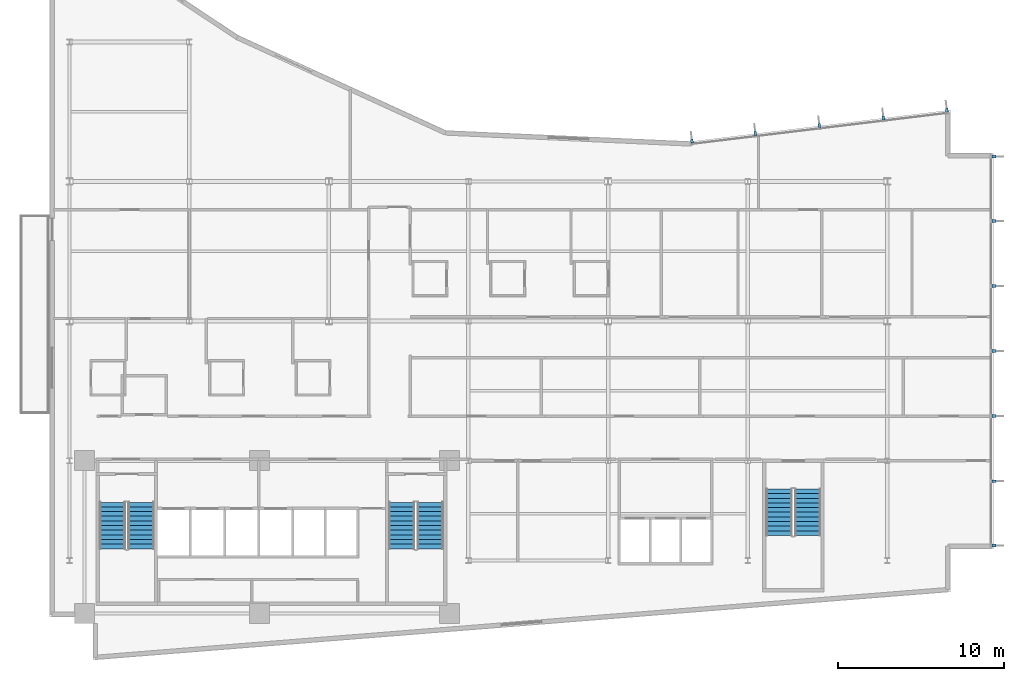
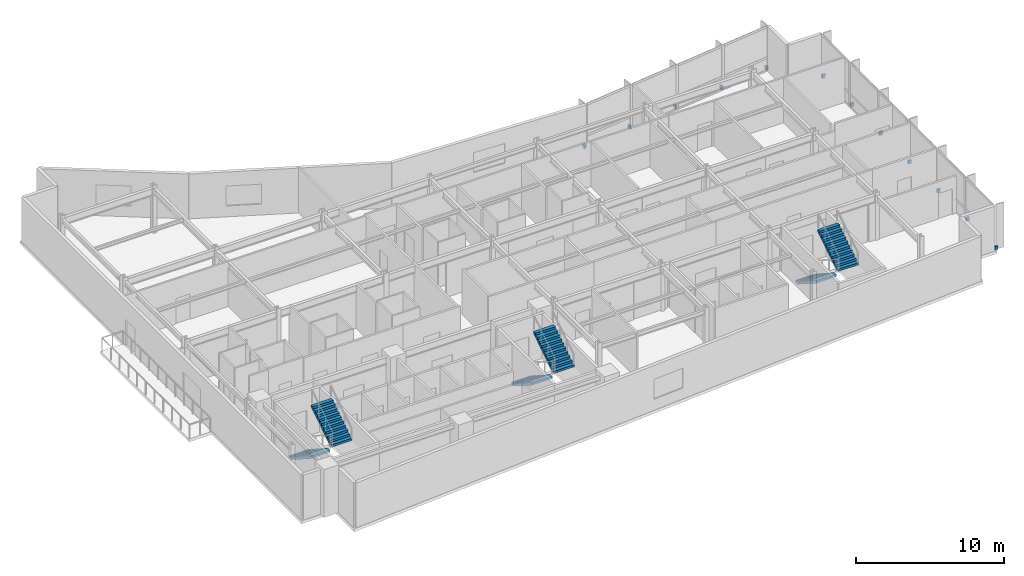
# One storey, part 14 of 18: 12 discrete accessories, 6 stair flights, 3 elements without a shape of their own.
"""IFC4 building model written with IfcOpenShell, lengths in metres."""

from ifc_helpers import new_model, si_unit, direction, frame, origin, origin_2d, place, context, subcontext, project, spatial, polyline, rectangle, outline, extrude, material, layer, layer_set, type_object, element, aggregate, save


model = new_model("IFC4")

# Units and contexts
model_context = context("Model", 3, precision=1e-05, world=origin(), true_north=direction((0.0, 1.0)))
body_context = subcontext(model_context, "Body", "Model", "MODEL_VIEW")
ifc_project = project(units=[si_unit("LENGTHUNIT", "METRE"), si_unit("AREAUNIT", "SQUARE_METRE"), si_unit("VOLUMEUNIT", "CUBIC_METRE"), si_unit("PLANEANGLEUNIT", "RADIAN"), si_unit("MASSUNIT", "GRAM", prefix="KILO")], contexts=[model_context])

# Site, building, storey
site_placement = place(None, origin())
site = spatial("IfcSite", under=ifc_project, at=site_placement, CompositionType="ELEMENT")
building_placement = place(site_placement, origin())
building = spatial("IfcBuilding", under=site, at=building_placement, Name="Varnakote Quay Hospital", CompositionType="ELEMENT")
storey_placement = place(building_placement, frame((0.0, 0.0, 119.14990234375)))
storey = spatial("IfcBuildingStorey", under=building, at=storey_placement, Name="L29", CompositionType="ELEMENT", Elevation=119.14990234375)

# Stair, stair flights
ifc_material_1 = material(Name="Concrete N40 (f'c 40 MPa)", Category="concrete")
stair_type = type_object("IfcStairType", Name="STR-CORE-1580", PredefinedType="HALF_TURN_STAIR", material=ifc_material_1)
stair_1_placement = place(storey_placement, origin())
stair_1 = element("IfcStair", 1, at=stair_1_placement, inside=storey, type_object=stair_type, Name="L29 Fire-Isolated Exit Stair ST-01", PredefinedType="HALF_TURN_STAIR")
ifc_material_2 = material(Name="Concrete N40 (f'c 40 MPa)", Category="concrete")
ifc_layer = layer(ifc_material_2, 0.159912109375)
ifc_layer_set = layer_set([ifc_layer], Name="Concrete N40 (f'c 40 MPa)")
stair_flight_type = type_object("IfcStairFlightType", Name="FLT-CORE-1580", PredefinedType="STRAIGHT", material=ifc_layer_set)
stair_flight_1_placement = place(storey_placement, frame((3.7900390625, 9.5, 0.0), z_axis=(0.0, 0.0, 1.0), x_axis=(0.0, -1.0, 0.0)))
stair_flight_1 = element("IfcStairFlight", 2, at=stair_flight_1_placement, type_object=stair_flight_type, Name="ST-01 flight 1", NumberOfRisers=11, NumberOfTreads=10, PredefinedType="STRAIGHT", RiserHeight=0.179545455, TreadLength=0.28, context=body_context, shape_type="SweptSolid", body=[
    extrude(outline(polyline([(0.0, 0.0), (0.0, 0.179443359375), (0.280029296875, 0.179443359375), (0.280029296875, 0.359130859375), (0.56005859375, 0.359130859375), (0.56005859375, 0.53857421875), (0.840087890625, 0.53857421875), (0.840087890625, 0.71826171875), (1.1201171875, 0.71826171875), (1.1201171875, 0.897705078125), (1.39990234375, 0.897705078125), (1.39990234375, 1.077392578125), (1.679931640625, 1.077392578125), (1.679931640625, 1.2568359375), (1.9599609375, 1.2568359375), (1.9599609375, 1.436279296875), (2.239990234375, 1.436279296875), (2.239990234375, 1.615966796875), (2.52001953125, 1.615966796875), (2.52001953125, 1.79541015625), (2.800048828125, 1.79541015625), (2.800048828125, 1.97509765625), (2.800048828125, 1.60546875), (0.296142578125, 0.0), (0.0, 0.0)])), frame((0.0, 0.7900390625, 0.0), z_axis=(0.0, -1.0, 0.0), x_axis=(1.0, 0.0, 0.0)), (0.0, 0.0, 1.0), 1.580078125),
])
stair_flight_2_placement = place(storey_placement, frame((5.510009765625, 6.699951171875, 1.97509765625), z_axis=(0.0, 0.0, 1.0), x_axis=(0.0, 1.0, 0.0)))
stair_flight_2 = element("IfcStairFlight", 3, at=stair_flight_2_placement, type_object=stair_flight_type, Name="ST-01 flight 2", NumberOfRisers=11, NumberOfTreads=10, PredefinedType="STRAIGHT", RiserHeight=0.179545455, TreadLength=0.28, context=body_context, shape_type="SweptSolid", body=[
    extrude(outline(polyline([(0.0, 0.0), (0.0, 0.179443359375), (0.280029296875, 0.179443359375), (0.280029296875, 0.359130859375), (0.56005859375, 0.359130859375), (0.56005859375, 0.53857421875), (0.840087890625, 0.53857421875), (0.840087890625, 0.71826171875), (1.1201171875, 0.71826171875), (1.1201171875, 0.897705078125), (1.39990234375, 0.897705078125), (1.39990234375, 1.077392578125), (1.679931640625, 1.077392578125), (1.679931640625, 1.2568359375), (1.9599609375, 1.2568359375), (1.9599609375, 1.436279296875), (2.239990234375, 1.436279296875), (2.239990234375, 1.615966796875), (2.52001953125, 1.615966796875), (2.52001953125, 1.79541015625), (2.800048828125, 1.79541015625), (2.800048828125, 1.97509765625), (2.800048828125, 1.60546875), (0.296142578125, 0.0), (0.0, 0.0)])), frame((0.0, 0.7900390625, 0.0), z_axis=(0.0, -1.0, 0.0), x_axis=(1.0, 0.0, 0.0)), (0.0, 0.0, 1.0), 1.580078125),
])
aggregate(stair_1, [stair_flight_1, stair_flight_2])

stair_2_placement = place(storey_placement, origin())
stair_2 = element("IfcStair", 4, at=stair_2_placement, inside=storey, type_object=stair_type, Name="L29 Fire-Isolated Exit Stair ST-02", PredefinedType="HALF_TURN_STAIR")
stair_flight_3_placement = place(storey_placement, frame((21.18994140625, 9.5, 0.0), z_axis=(0.0, 0.0, 1.0), x_axis=(0.0, -1.0, 0.0)))
stair_flight_3 = element("IfcStairFlight", 5, at=stair_flight_3_placement, type_object=stair_flight_type, Name="ST-02 flight 1", NumberOfRisers=11, NumberOfTreads=10, PredefinedType="STRAIGHT", RiserHeight=0.179545455, TreadLength=0.28, context=body_context, shape_type="SweptSolid", body=[
    extrude(outline(polyline([(0.0, 0.0), (0.0, 0.179443359375), (0.280029296875, 0.179443359375), (0.280029296875, 0.359130859375), (0.56005859375, 0.359130859375), (0.56005859375, 0.53857421875), (0.840087890625, 0.53857421875), (0.840087890625, 0.71826171875), (1.1201171875, 0.71826171875), (1.1201171875, 0.897705078125), (1.39990234375, 0.897705078125), (1.39990234375, 1.077392578125), (1.679931640625, 1.077392578125), (1.679931640625, 1.2568359375), (1.9599609375, 1.2568359375), (1.9599609375, 1.436279296875), (2.239990234375, 1.436279296875), (2.239990234375, 1.615966796875), (2.52001953125, 1.615966796875), (2.52001953125, 1.79541015625), (2.800048828125, 1.79541015625), (2.800048828125, 1.97509765625), (2.800048828125, 1.60546875), (0.296142578125, 0.0), (0.0, 0.0)])), frame((0.0, 0.7900390625, 0.0), z_axis=(0.0, -1.0, 0.0), x_axis=(1.0, 0.0, 0.0)), (0.0, 0.0, 1.0), 1.580078125),
])
stair_flight_4_placement = place(storey_placement, frame((22.909912109375, 6.699951171875, 1.97509765625), z_axis=(0.0, 0.0, 1.0), x_axis=(0.0, 1.0, 0.0)))
stair_flight_4 = element("IfcStairFlight", 6, at=stair_flight_4_placement, type_object=stair_flight_type, Name="ST-02 flight 2", NumberOfRisers=11, NumberOfTreads=10, PredefinedType="STRAIGHT", RiserHeight=0.179545455, TreadLength=0.28, context=body_context, shape_type="SweptSolid", body=[
    extrude(outline(polyline([(0.0, 0.0), (0.0, 0.179443359375), (0.280029296875, 0.179443359375), (0.280029296875, 0.359130859375), (0.56005859375, 0.359130859375), (0.56005859375, 0.53857421875), (0.840087890625, 0.53857421875), (0.840087890625, 0.71826171875), (1.1201171875, 0.71826171875), (1.1201171875, 0.897705078125), (1.39990234375, 0.897705078125), (1.39990234375, 1.077392578125), (1.679931640625, 1.077392578125), (1.679931640625, 1.2568359375), (1.9599609375, 1.2568359375), (1.9599609375, 1.436279296875), (2.239990234375, 1.436279296875), (2.239990234375, 1.615966796875), (2.52001953125, 1.615966796875), (2.52001953125, 1.79541015625), (2.800048828125, 1.79541015625), (2.800048828125, 1.97509765625), (2.800048828125, 1.60546875), (0.296142578125, 0.0), (0.0, 0.0)])), frame((0.0, 0.7900390625, 0.0), z_axis=(0.0, -1.0, 0.0), x_axis=(1.0, 0.0, 0.0)), (0.0, 0.0, 1.0), 1.580078125),
])
aggregate(stair_2, [stair_flight_3, stair_flight_4])

stair_3_placement = place(storey_placement, origin())
stair_3 = element("IfcStair", 7, at=stair_3_placement, inside=storey, type_object=stair_type, Name="L29 Fire-Isolated Exit Stair ST-03", PredefinedType="HALF_TURN_STAIR")
stair_flight_5_placement = place(storey_placement, frame((43.889892578125, 10.300048828125, 0.0), z_axis=(0.0, 0.0, 1.0), x_axis=(0.0, -1.0, 0.0)))
stair_flight_5 = element("IfcStairFlight", 8, at=stair_flight_5_placement, type_object=stair_flight_type, Name="ST-03 flight 1", NumberOfRisers=11, NumberOfTreads=10, PredefinedType="STRAIGHT", RiserHeight=0.179545455, TreadLength=0.28, context=body_context, shape_type="SweptSolid", body=[
    extrude(outline(polyline([(0.0, 0.0), (0.0, 0.179443359375), (0.280029296875, 0.179443359375), (0.280029296875, 0.359130859375), (0.56005859375, 0.359130859375), (0.56005859375, 0.53857421875), (0.840087890625, 0.53857421875), (0.840087890625, 0.71826171875), (1.1201171875, 0.71826171875), (1.1201171875, 0.897705078125), (1.39990234375, 0.897705078125), (1.39990234375, 1.077392578125), (1.679931640625, 1.077392578125), (1.679931640625, 1.2568359375), (1.9599609375, 1.2568359375), (1.9599609375, 1.436279296875), (2.239990234375, 1.436279296875), (2.239990234375, 1.615966796875), (2.52001953125, 1.615966796875), (2.52001953125, 1.79541015625), (2.800048828125, 1.79541015625), (2.800048828125, 1.97509765625), (2.800048828125, 1.60546875), (0.296142578125, 0.0), (0.0, 0.0)])), frame((0.0, 0.7900390625, 0.0), z_axis=(0.0, -1.0, 0.0), x_axis=(1.0, 0.0, 0.0)), (0.0, 0.0, 1.0), 1.580078125),
])
stair_flight_6_placement = place(storey_placement, frame((45.610107421875, 7.5, 1.97509765625), z_axis=(0.0, 0.0, 1.0), x_axis=(0.0, 1.0, 0.0)))
stair_flight_6 = element("IfcStairFlight", 9, at=stair_flight_6_placement, type_object=stair_flight_type, Name="ST-03 flight 2", NumberOfRisers=11, NumberOfTreads=10, PredefinedType="STRAIGHT", RiserHeight=0.179545455, TreadLength=0.28, context=body_context, shape_type="SweptSolid", body=[
    extrude(outline(polyline([(0.0, 0.0), (0.0, 0.179443359375), (0.280029296875, 0.179443359375), (0.280029296875, 0.359130859375), (0.56005859375, 0.359130859375), (0.56005859375, 0.53857421875), (0.840087890625, 0.53857421875), (0.840087890625, 0.71826171875), (1.1201171875, 0.71826171875), (1.1201171875, 0.897705078125), (1.39990234375, 0.897705078125), (1.39990234375, 1.077392578125), (1.679931640625, 1.077392578125), (1.679931640625, 1.2568359375), (1.9599609375, 1.2568359375), (1.9599609375, 1.436279296875), (2.239990234375, 1.436279296875), (2.239990234375, 1.615966796875), (2.52001953125, 1.615966796875), (2.52001953125, 1.79541015625), (2.800048828125, 1.79541015625), (2.800048828125, 1.97509765625), (2.800048828125, 1.60546875), (0.296142578125, 0.0), (0.0, 0.0)])), frame((0.0, 0.7900390625, 0.0), z_axis=(0.0, -1.0, 0.0), x_axis=(1.0, 0.0, 0.0)), (0.0, 0.0, 1.0), 1.580078125),
])
aggregate(stair_3, [stair_flight_5, stair_flight_6])

# Discrete accessories
ifc_material_3 = material(Name="Anodised aluminium 6063-T6 Bronze", Category="aluminium")
discrete_accessory_type = type_object("IfcDiscreteAccessoryType", Name="ACC-FIN-BRACKET-180", PredefinedType="BRACKET", material=ifc_material_3)
for number, where, z_axis, x_axis, name in (
    (10, (56.81005859375, 6.8974609375, 0.0), (0.0, 0.0, 1.0), (0.0, 1.0, 0.0), "L29 Curtain Wall Fin Fixing Bracket"),
    (11, (56.81005859375, 10.773193359375, 0.0), (0.0, 0.0, 1.0), (0.0, 1.0, 0.0), "L29 Curtain Wall Fin Fixing Bracket"),
    (12, (56.81005859375, 14.686767578125, 0.0), (0.0, 0.0, 1.0), (0.0, 1.0, 0.0), "L29 Curtain Wall Fin Fixing Bracket"),
    (13, (56.81005859375, 18.60009765625, 0.0), (0.0, 0.0, 1.0), (0.0, 1.0, 0.0), "L29 Curtain Wall Fin Fixing Bracket"),
    (14, (56.81005859375, 22.51318359375, 0.0), (0.0, 0.0, 1.0), (0.0, 1.0, 0.0), "L29 Curtain Wall Fin Fixing Bracket"),
    (15, (56.81005859375, 26.4267578125, 0.0), (0.0, 0.0, 1.0), (0.0, 1.0, 0.0), "L29 Curtain Wall Fin Fixing Bracket"),
    (16, (56.81005859375, 30.302490234375, 0.0), (0.0, 0.0, 1.0), (0.0, 1.0, 0.0), "L29 Curtain Wall Fin Fixing Bracket"),
    (17, (53.982421875, 33.083740234375, 0.0), (0.0, 0.0, 1.0), (-0.992736358975, -0.120310105847, 0.0), "L29 Curtain Wall Fin Fixing Bracket"),
    (18, (50.1669921875, 32.62109375, 0.0), (0.0, 0.0, 1.0), (-0.992736358975, -0.120310105847, 0.0), "L29 Curtain Wall Fin Fixing Bracket"),
    (19, (46.314697265625, 32.154296875, 0.0), (0.0, 0.0, 1.0), (-0.992736358975, -0.120310105847, 0.0), "L29 Curtain Wall Fin Fixing Bracket"),
    (20, (42.462158203125, 31.687255859375, 0.0), (0.0, 0.0, 1.0), (-0.992736358975, -0.120310105847, 0.0), "L29 Curtain Wall Fin Fixing Bracket"),
    (21, (38.64697265625, 31.224853515625, 0.0), (0.0, 0.0, 1.0), (-0.992736358975, -0.120310105847, 0.0), "L29 Curtain Wall Fin Fixing Bracket"),
):
    element("IfcDiscreteAccessory", number, at=place(storey_placement, frame(where, z_axis=z_axis, x_axis=x_axis)), inside=storey, type_object=discrete_accessory_type, Name=name, PredefinedType="BRACKET", context=body_context, shape_type="SweptSolid", body=[
        extrude(rectangle(XDim=0.159912109375, YDim=0.239990234375, at=origin_2d()), origin(), (0.0, 0.0, 1.0), 0.280029296875),
    ])

save(model, "model.ifc")
